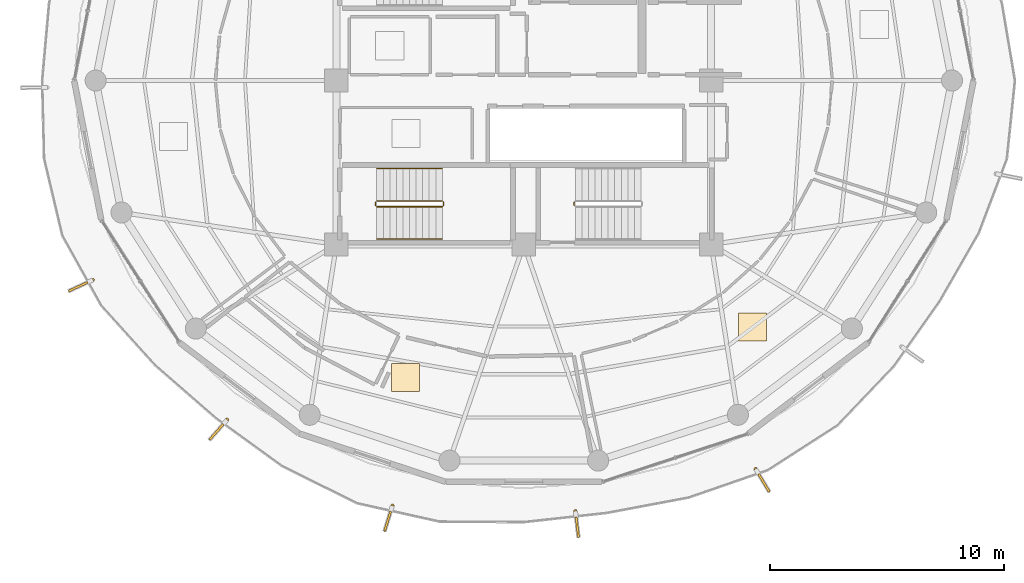
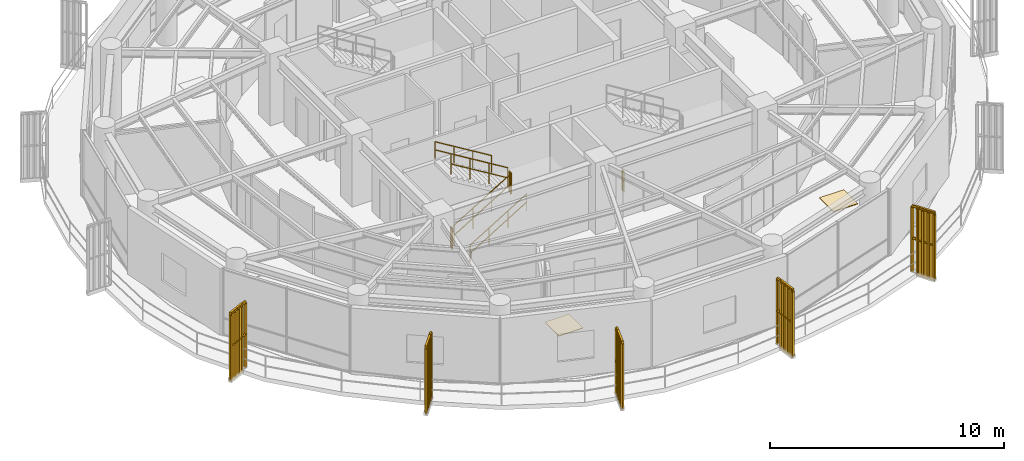
# One storey, part 20 of 23: 12 railings, 5 shading devices, 2 coverings.
"""IFC4 building model written with IfcOpenShell, lengths in metres."""

from ifc_helpers import new_model, si_unit, direction, frame, origin, origin_2d, place, context, subcontext, project, spatial, polyline, rectangle, outline, extrude, source, transform, mapped, material, layer, layer_set, type_object, element, save


model = new_model("IFC4")

# Units and contexts
model_context = context("Model", 3, precision=1e-05, world=origin(), true_north=direction((0.0, 1.0)))
body_context = subcontext(model_context, "Body", "Model", "MODEL_VIEW")
ifc_project = project(units=[si_unit("LENGTHUNIT", "METRE"), si_unit("AREAUNIT", "SQUARE_METRE"), si_unit("VOLUMEUNIT", "CUBIC_METRE"), si_unit("PLANEANGLEUNIT", "RADIAN"), si_unit("MASSUNIT", "GRAM", prefix="KILO")], contexts=[model_context])

# Site, building, storey
site_placement = place(None, origin())
site = spatial("IfcSite", under=ifc_project, at=site_placement, CompositionType="ELEMENT")
building_placement = place(site_placement, origin())
building = spatial("IfcBuilding", under=site, at=building_placement, Name="Kelanora Arch Commons", CompositionType="ELEMENT")
storey_placement = place(building_placement, frame((0.0, 0.0, 282.449951171875)))
storey = spatial("IfcBuildingStorey", under=building, at=storey_placement, Name="L72", CompositionType="ELEMENT", Elevation=282.449951171875)

# Railings
ifc_material_1 = material(Name="Anodised bronze vertical shading fin rib assembly")
railing_type_1 = type_object("IfcRailingType", Name="RAIL-FIN-BRZ", PredefinedType="BALUSTRADE", material=ifc_material_1)
railing_1_placement = place(storey_placement, frame((55.599853515625, 49.48779296875, -0.02001953125)))
element("IfcRailing", 1, at=railing_1_placement, inside=storey, type_object=railing_type_1, Name="Sweeping Bronze Vertical Fin Blade L72-09", PredefinedType="BALUSTRADE", context=body_context, shape_type="SweptSolid", body=[
    extrude(outline(polyline([(0.06982421875, 0.0), (0.034912109375, 0.060546875), (-0.034912109375, 0.060546875), (-0.06982421875, 0.0), (-0.034912109375, -0.060546875), (0.034912109375, -0.060546875), (0.06982421875, 0.0)])), frame((0.0, 0.0, 3.419921875), z_axis=(-0.907559976002, -0.419922480893, 0.0), x_axis=(0.419922480893, -0.907559976002, 0.0)), (0.0, 0.0, 1.0), 1.092529296875),
    extrude(outline(polyline([(0.06982421875, 0.0), (0.034912109375, 0.060546875), (-0.034912109375, 0.060546875), (-0.06982421875, 0.0), (-0.034912109375, -0.060546875), (0.034912109375, -0.060546875), (0.06982421875, 0.0)])), frame((0.0, 0.0, 1.7451171875), z_axis=(-0.907559976002, -0.419922480893, 0.0), x_axis=(0.419922480893, -0.907559976002, 0.0)), (0.0, 0.0, 1.0), 1.092529296875),
    extrude(outline(polyline([(0.080078125, 0.0), (0.0400390625, 0.0693359375), (-0.0400390625, 0.0693359375), (-0.080078125, 0.0), (-0.0400390625, -0.0693359375), (0.0400390625, -0.0693359375), (0.080078125, 0.0)])), origin(), (0.0, 0.0, 1.0), 3.35009765625),
    extrude(outline(polyline([(0.080078125, 0.0), (0.0400390625, 0.0693359375), (-0.0400390625, 0.0693359375), (-0.080078125, 0.0), (-0.0400390625, -0.0693359375), (0.0400390625, -0.0693359375), (0.080078125, 0.0)])), frame((-0.247802734375, -0.11474609375, 0.0)), (0.0, 0.0, 1.0), 3.35009765625),
    extrude(outline(polyline([(0.080078125, 0.0), (0.0400390625, 0.0693359375), (-0.0400390625, 0.0693359375), (-0.080078125, 0.0), (-0.0400390625, -0.0693359375), (0.0400390625, -0.0693359375), (0.080078125, 0.0)])), frame((-0.49560546875, -0.2294921875, 0.0)), (0.0, 0.0, 1.0), 3.35009765625),
    extrude(outline(polyline([(0.080078125, 0.0), (0.0400390625, 0.0693359375), (-0.0400390625, 0.0693359375), (-0.080078125, 0.0), (-0.0400390625, -0.0693359375), (0.0400390625, -0.0693359375), (0.080078125, 0.0)])), frame((-0.74365234375, -0.343994140625, 0.0)), (0.0, 0.0, 1.0), 3.35009765625),
    extrude(outline(polyline([(0.080078125, 0.0), (0.0400390625, 0.0693359375), (-0.0400390625, 0.0693359375), (-0.080078125, 0.0), (-0.0400390625, -0.0693359375), (0.0400390625, -0.0693359375), (0.080078125, 0.0)])), frame((-0.991455078125, -0.458740234375, 0.0)), (0.0, 0.0, 1.0), 3.35009765625),
])
railing_2_placement = place(storey_placement, frame((61.330078125, 43.513916015625, -0.02001953125)))
element("IfcRailing", 2, at=railing_2_placement, inside=storey, type_object=railing_type_1, Name="Sweeping Bronze Vertical Fin Blade L72-10", PredefinedType="BALUSTRADE", context=body_context, shape_type="SweptSolid", body=[
    extrude(outline(polyline([(0.06982421875, 0.0), (0.034912109375, 0.060546875), (-0.034912109375, 0.060546875), (-0.06982421875, 0.0), (-0.034912109375, -0.060546875), (0.034912109375, -0.060546875), (0.06982421875, 0.0)])), frame((0.0, 0.0, 3.419921875), z_axis=(-0.658504607869, -0.752576694707, 0.0), x_axis=(0.752576694707, -0.658504607869, 0.0)), (0.0, 0.0, 1.0), 1.092529296875),
    extrude(outline(polyline([(0.06982421875, 0.0), (0.034912109375, 0.060546875), (-0.034912109375, 0.060546875), (-0.06982421875, 0.0), (-0.034912109375, -0.060546875), (0.034912109375, -0.060546875), (0.06982421875, 0.0)])), frame((0.0, 0.0, 1.7451171875), z_axis=(-0.658504607869, -0.752576694707, 0.0), x_axis=(0.752576694707, -0.658504607869, 0.0)), (0.0, 0.0, 1.0), 1.092529296875),
    extrude(outline(polyline([(0.080078125, 0.0), (0.0400390625, 0.0693359375), (-0.0400390625, 0.0693359375), (-0.080078125, 0.0), (-0.0400390625, -0.0693359375), (0.0400390625, -0.0693359375), (0.080078125, 0.0)])), origin(), (0.0, 0.0, 1.0), 3.35009765625),
    extrude(outline(polyline([(0.080078125, 0.0), (0.0400390625, 0.0693359375), (-0.0400390625, 0.0693359375), (-0.080078125, 0.0), (-0.0400390625, -0.0693359375), (0.0400390625, -0.0693359375), (0.080078125, 0.0)])), frame((-0.179931640625, -0.20556640625, 0.0)), (0.0, 0.0, 1.0), 3.35009765625),
    extrude(outline(polyline([(0.080078125, 0.0), (0.0400390625, 0.0693359375), (-0.0400390625, 0.0693359375), (-0.080078125, 0.0), (-0.0400390625, -0.0693359375), (0.0400390625, -0.0693359375), (0.080078125, 0.0)])), frame((-0.35986328125, -0.4111328125, 0.0)), (0.0, 0.0, 1.0), 3.35009765625),
    extrude(outline(polyline([(0.080078125, 0.0), (0.0400390625, 0.0693359375), (-0.0400390625, 0.0693359375), (-0.080078125, 0.0), (-0.0400390625, -0.0693359375), (0.0400390625, -0.0693359375), (0.080078125, 0.0)])), frame((-0.53955078125, -0.61669921875, 0.0)), (0.0, 0.0, 1.0), 3.35009765625),
    extrude(outline(polyline([(0.080078125, 0.0), (0.0400390625, 0.0693359375), (-0.0400390625, 0.0693359375), (-0.080078125, 0.0), (-0.0400390625, -0.0693359375), (0.0400390625, -0.0693359375), (0.080078125, 0.0)])), frame((-0.719482421875, -0.822265625, 0.0)), (0.0, 0.0, 1.0), 3.35009765625),
])
railing_3_placement = place(storey_placement, frame((68.38916015625, 39.844970703125, -0.02001953125)))
element("IfcRailing", 3, at=railing_3_placement, inside=storey, type_object=railing_type_1, Name="Sweeping Bronze Vertical Fin Blade L72-11", PredefinedType="BALUSTRADE", context=body_context, shape_type="SweptSolid", body=[
    extrude(outline(polyline([(0.06982421875, 0.0), (0.034912109375, 0.060546875), (-0.034912109375, 0.060546875), (-0.06982421875, 0.0), (-0.034912109375, -0.060546875), (0.034912109375, -0.060546875), (0.06982421875, 0.0)])), frame((0.0, 0.0, 3.419921875), z_axis=(-0.295436078768, -0.955362508874, 0.0), x_axis=(0.955362508874, -0.295436078768, 0.0)), (0.0, 0.0, 1.0), 1.092529296875),
    extrude(outline(polyline([(0.06982421875, 0.0), (0.034912109375, 0.060546875), (-0.034912109375, 0.060546875), (-0.06982421875, 0.0), (-0.034912109375, -0.060546875), (0.034912109375, -0.060546875), (0.06982421875, 0.0)])), frame((0.0, 0.0, 1.7451171875), z_axis=(-0.295436078768, -0.955362508874, 0.0), x_axis=(0.955362508874, -0.295436078768, 0.0)), (0.0, 0.0, 1.0), 1.092529296875),
    extrude(outline(polyline([(0.080078125, 0.0), (0.0400390625, 0.0693359375), (-0.0400390625, 0.0693359375), (-0.080078125, 0.0), (-0.0400390625, -0.0693359375), (0.0400390625, -0.0693359375), (0.080078125, 0.0)])), origin(), (0.0, 0.0, 1.0), 3.35009765625),
    extrude(outline(polyline([(0.080078125, 0.0), (0.0400390625, 0.0693359375), (-0.0400390625, 0.0693359375), (-0.080078125, 0.0), (-0.0400390625, -0.0693359375), (0.0400390625, -0.0693359375), (0.080078125, 0.0)])), frame((-0.08056640625, -0.260986328125, 0.0)), (0.0, 0.0, 1.0), 3.35009765625),
    extrude(outline(polyline([(0.080078125, 0.0), (0.0400390625, 0.0693359375), (-0.0400390625, 0.0693359375), (-0.080078125, 0.0), (-0.0400390625, -0.0693359375), (0.0400390625, -0.0693359375), (0.080078125, 0.0)])), frame((-0.161376953125, -0.52197265625, 0.0)), (0.0, 0.0, 1.0), 3.35009765625),
    extrude(outline(polyline([(0.080078125, 0.0), (0.0400390625, 0.0693359375), (-0.0400390625, 0.0693359375), (-0.080078125, 0.0), (-0.0400390625, -0.0693359375), (0.0400390625, -0.0693359375), (0.080078125, 0.0)])), frame((-0.2421875, -0.78271484375, 0.0)), (0.0, 0.0, 1.0), 3.35009765625),
    extrude(outline(polyline([(0.080078125, 0.0), (0.0400390625, 0.0693359375), (-0.0400390625, 0.0693359375), (-0.080078125, 0.0), (-0.0400390625, -0.0693359375), (0.0400390625, -0.0693359375), (0.080078125, 0.0)])), frame((-0.32275390625, -1.043701171875, 0.0)), (0.0, 0.0, 1.0), 3.35009765625),
])
railing_4_placement = place(storey_placement, frame((76.20068359375, 39.615234375, -0.02001953125)))
element("IfcRailing", 4, at=railing_4_placement, inside=storey, type_object=railing_type_1, Name="Sweeping Bronze Vertical Fin Blade L72-12", PredefinedType="BALUSTRADE", context=body_context, shape_type="SweptSolid", body=[
    extrude(outline(polyline([(0.06982421875, 0.0), (0.034912109375, 0.060546875), (-0.034912109375, 0.060546875), (-0.06982421875, 0.0), (-0.034912109375, -0.060546875), (0.034912109375, -0.060546875), (0.06982421875, 0.0)])), frame((0.0, 0.0, 3.419921875), z_axis=(0.118889663536, -0.992907471975, 0.0), x_axis=(0.992907471975, 0.118889663536, 0.0)), (0.0, 0.0, 1.0), 1.092529296875),
    extrude(outline(polyline([(0.06982421875, 0.0), (0.034912109375, 0.060546875), (-0.034912109375, 0.060546875), (-0.06982421875, 0.0), (-0.034912109375, -0.060546875), (0.034912109375, -0.060546875), (0.06982421875, 0.0)])), frame((0.0, 0.0, 1.7451171875), z_axis=(0.118889663536, -0.992907471975, 0.0), x_axis=(0.992907471975, 0.118889663536, 0.0)), (0.0, 0.0, 1.0), 1.092529296875),
    extrude(outline(polyline([(0.080078125, 0.0), (0.0400390625, 0.0693359375), (-0.0400390625, 0.0693359375), (-0.080078125, 0.0), (-0.0400390625, -0.0693359375), (0.0400390625, -0.0693359375), (0.080078125, 0.0)])), origin(), (0.0, 0.0, 1.0), 3.35009765625),
    extrude(outline(polyline([(0.080078125, 0.0), (0.0400390625, 0.0693359375), (-0.0400390625, 0.0693359375), (-0.080078125, 0.0), (-0.0400390625, -0.0693359375), (0.0400390625, -0.0693359375), (0.080078125, 0.0)])), frame((0.032470703125, -0.271240234375, 0.0)), (0.0, 0.0, 1.0), 3.35009765625),
    extrude(outline(polyline([(0.080078125, 0.0), (0.0400390625, 0.0693359375), (-0.0400390625, 0.0693359375), (-0.080078125, 0.0), (-0.0400390625, -0.0693359375), (0.0400390625, -0.0693359375), (0.080078125, 0.0)])), frame((0.06494140625, -0.54248046875, 0.0)), (0.0, 0.0, 1.0), 3.35009765625),
    extrude(outline(polyline([(0.080078125, 0.0), (0.0400390625, 0.0693359375), (-0.0400390625, 0.0693359375), (-0.080078125, 0.0), (-0.0400390625, -0.0693359375), (0.0400390625, -0.0693359375), (0.080078125, 0.0)])), frame((0.097412109375, -0.8134765625, 0.0)), (0.0, 0.0, 1.0), 3.35009765625),
    extrude(outline(polyline([(0.080078125, 0.0), (0.0400390625, 0.0693359375), (-0.0400390625, 0.0693359375), (-0.080078125, 0.0), (-0.0400390625, -0.0693359375), (0.0400390625, -0.0693359375), (0.080078125, 0.0)])), frame((0.1298828125, -1.084716796875, 0.0)), (0.0, 0.0, 1.0), 3.35009765625),
])
railing_5_placement = place(storey_placement, frame((83.89697265625, 41.414794921875, -0.02001953125)))
element("IfcRailing", 5, at=railing_5_placement, inside=storey, type_object=railing_type_1, Name="Sweeping Bronze Vertical Fin Blade L72-13", PredefinedType="BALUSTRADE", context=body_context, shape_type="SweptSolid", body=[
    extrude(outline(polyline([(0.06982421875, 0.0), (0.034912109375, 0.060546875), (-0.034912109375, 0.060546875), (-0.06982421875, 0.0), (-0.034912109375, -0.060546875), (0.034912109375, -0.060546875), (0.06982421875, 0.0)])), frame((0.0, 0.0, 3.419921875), z_axis=(0.512489407316, -0.858693546842, 0.0), x_axis=(0.858693546842, 0.512489407316, 0.0)), (0.0, 0.0, 1.0), 1.09228515625),
    extrude(outline(polyline([(0.06982421875, 0.0), (0.034912109375, 0.060546875), (-0.034912109375, 0.060546875), (-0.06982421875, 0.0), (-0.034912109375, -0.060546875), (0.034912109375, -0.060546875), (0.06982421875, 0.0)])), frame((0.0, 0.0, 1.7451171875), z_axis=(0.512489407316, -0.858693546842, 0.0), x_axis=(0.858693546842, 0.512489407316, 0.0)), (0.0, 0.0, 1.0), 1.09228515625),
    extrude(outline(polyline([(0.080078125, 0.0), (0.0400390625, 0.0693359375), (-0.0400390625, 0.0693359375), (-0.080078125, 0.0), (-0.0400390625, -0.0693359375), (0.0400390625, -0.0693359375), (0.080078125, 0.0)])), origin(), (0.0, 0.0, 1.0), 3.35009765625),
    extrude(outline(polyline([(0.080078125, 0.0), (0.0400390625, 0.0693359375), (-0.0400390625, 0.0693359375), (-0.080078125, 0.0), (-0.0400390625, -0.0693359375), (0.0400390625, -0.0693359375), (0.080078125, 0.0)])), frame((0.139892578125, -0.234375, 0.0)), (0.0, 0.0, 1.0), 3.35009765625),
    extrude(outline(polyline([(0.080078125, 0.0), (0.0400390625, 0.0693359375), (-0.0400390625, 0.0693359375), (-0.080078125, 0.0), (-0.0400390625, -0.0693359375), (0.0400390625, -0.0693359375), (0.080078125, 0.0)])), frame((0.27978515625, -0.468994140625, 0.0)), (0.0, 0.0, 1.0), 3.35009765625),
    extrude(outline(polyline([(0.080078125, 0.0), (0.0400390625, 0.0693359375), (-0.0400390625, 0.0693359375), (-0.080078125, 0.0), (-0.0400390625, -0.0693359375), (0.0400390625, -0.0693359375), (0.080078125, 0.0)])), frame((0.419921875, -0.70361328125, 0.0)), (0.0, 0.0, 1.0), 3.35009765625),
    extrude(outline(polyline([(0.080078125, 0.0), (0.0400390625, 0.0693359375), (-0.0400390625, 0.0693359375), (-0.080078125, 0.0), (-0.0400390625, -0.0693359375), (0.0400390625, -0.0693359375), (0.080078125, 0.0)])), frame((0.559814453125, -0.93798828125, 0.0)), (0.0, 0.0, 1.0), 3.35009765625),
])
ifc_material_2 = material(Name="Painted steel stair well guard", Category="steel")
railing_type_2 = type_object("IfcRailingType", Name="RAIL-STAIR-GRD", PredefinedType="GUARDRAIL", material=ifc_material_2)
railing_6_placement = place(storey_placement, frame((76.14990234375, 52.659912109375, 0.0)))
element("IfcRailing", 6, at=railing_6_placement, inside=storey, type_object=railing_type_2, Name="L72 ST-T2 stair guard 4", PredefinedType="GUARDRAIL", context=body_context, shape_type="SweptSolid", body=[
    extrude(outline(polyline([(0.02392578125, 0.0), (0.011962890625, 0.020751953125), (-0.011962890625, 0.020751953125), (-0.02392578125, 0.0), (-0.011962890625, -0.020751953125), (0.011962890625, -0.020751953125), (0.02392578125, 0.0)])), frame((0.0, 0.0, 1.076171875), z_axis=(0.0, 1.0, 0.0), x_axis=(-1.0, 0.0, 0.0)), (0.0, 0.0, 1.0), 0.150146484375),
    extrude(outline(polyline([(0.02392578125, 0.0), (0.011962890625, 0.020751953125), (-0.011962890625, 0.020751953125), (-0.02392578125, 0.0), (-0.011962890625, -0.020751953125), (0.011962890625, -0.020751953125), (0.02392578125, 0.0)])), frame((0.0, 0.0, 0.550048828125), z_axis=(0.0, 1.0, 0.0), x_axis=(-1.0, 0.0, 0.0)), (0.0, 0.0, 1.0), 0.150146484375),
    extrude(outline(polyline([(0.02099609375, 0.0), (0.010498046875, 0.01806640625), (-0.010498046875, 0.01806640625), (-0.02099609375, 0.0), (-0.010498046875, -0.01806640625), (0.010498046875, -0.01806640625), (0.02099609375, 0.0)])), origin(), (0.0, 0.0, 1.0), 1.052001953125),
    extrude(outline(polyline([(0.02099609375, 0.0), (0.010498046875, 0.01806640625), (-0.010498046875, 0.01806640625), (-0.02099609375, 0.0), (-0.010498046875, -0.01806640625), (0.010498046875, -0.01806640625), (0.02099609375, 0.0)])), frame((0.0, 0.150146484375, 0.0)), (0.0, 0.0, 1.0), 1.052001953125),
])
railing_7_placement = place(storey_placement, frame((67.719970703125, 52.610107421875, 0.17041015625)))
element("IfcRailing", 7, at=railing_7_placement, inside=storey, type_object=railing_type_2, Name="L72 ST-T3 stair guard 1", PredefinedType="GUARDRAIL", context=body_context, shape_type="SweptSolid", body=[
    extrude(outline(polyline([(0.02392578125, 0.0), (0.011962890625, 0.020751953125), (-0.011962890625, 0.020751953125), (-0.02392578125, 0.0), (-0.011962890625, -0.020751953125), (0.011962890625, -0.020751953125), (0.02392578125, 0.0)])), frame((0.0, 0.0, 1.076171875), z_axis=(0.854169791009, 0.0, 0.51999420009), x_axis=(0.0, 1.0, 0.0)), (0.0, 0.0, 1.0), 3.278076171875),
    extrude(outline(polyline([(0.02392578125, 0.0), (0.011962890625, 0.020751953125), (-0.011962890625, 0.020751953125), (-0.02392578125, 0.0), (-0.011962890625, -0.020751953125), (0.011962890625, -0.020751953125), (0.02392578125, 0.0)])), frame((0.0, 0.0, 0.550048828125), z_axis=(0.854169791009, 0.0, 0.51999420009), x_axis=(0.0, 1.0, 0.0)), (0.0, 0.0, 1.0), 3.278076171875),
    extrude(outline(polyline([(0.02099609375, 0.0), (0.010498046875, 0.01806640625), (-0.010498046875, 0.01806640625), (-0.02099609375, 0.0), (-0.010498046875, -0.01806640625), (0.010498046875, -0.01806640625), (0.02099609375, 0.0)])), origin(), (0.0, 0.0, 1.0), 1.052001953125),
    extrude(outline(polyline([(0.02099609375, 0.0), (0.010498046875, 0.01806640625), (-0.010498046875, 0.01806640625), (-0.02099609375, 0.0), (-0.010498046875, -0.01806640625), (0.010498046875, -0.01806640625), (0.02099609375, 0.0)])), frame((0.933349609375, 0.0, 0.568115234375)), (0.0, 0.0, 1.0), 1.052001953125),
    extrude(outline(polyline([(0.02099609375, 0.0), (0.010498046875, 0.01806640625), (-0.010498046875, 0.01806640625), (-0.02099609375, 0.0), (-0.010498046875, -0.01806640625), (0.010498046875, -0.01806640625), (0.02099609375, 0.0)])), frame((1.86669921875, 0.0, 1.136474609375)), (0.0, 0.0, 1.0), 1.052001953125),
    extrude(outline(polyline([(0.02099609375, 0.0), (0.010498046875, 0.01806640625), (-0.010498046875, 0.01806640625), (-0.02099609375, 0.0), (-0.010498046875, -0.01806640625), (0.010498046875, -0.01806640625), (0.02099609375, 0.0)])), frame((2.800048828125, 0.0, 1.70458984375)), (0.0, 0.0, 1.0), 1.052001953125),
])
railing_8_placement = place(storey_placement, frame((70.570068359375, 52.659912109375, 1.875)))
element("IfcRailing", 8, at=railing_8_placement, inside=storey, type_object=railing_type_2, Name="L72 ST-T3 stair guard 2", PredefinedType="GUARDRAIL", context=body_context, shape_type="SweptSolid", body=[
    extrude(outline(polyline([(0.02392578125, 0.0), (0.011962890625, 0.020751953125), (-0.011962890625, 0.020751953125), (-0.02392578125, 0.0), (-0.011962890625, -0.020751953125), (0.011962890625, -0.020751953125), (0.02392578125, 0.0)])), frame((0.0, 0.0, 1.076171875), z_axis=(0.0, 1.0, 0.0), x_axis=(-1.0, 0.0, 0.0)), (0.0, 0.0, 1.0), 0.150146484375),
    extrude(outline(polyline([(0.02392578125, 0.0), (0.011962890625, 0.020751953125), (-0.011962890625, 0.020751953125), (-0.02392578125, 0.0), (-0.011962890625, -0.020751953125), (0.011962890625, -0.020751953125), (0.02392578125, 0.0)])), frame((0.0, 0.0, 0.550048828125), z_axis=(0.0, 1.0, 0.0), x_axis=(-1.0, 0.0, 0.0)), (0.0, 0.0, 1.0), 0.150146484375),
    extrude(outline(polyline([(0.02099609375, 0.0), (0.010498046875, 0.01806640625), (-0.010498046875, 0.01806640625), (-0.02099609375, 0.0), (-0.010498046875, -0.01806640625), (0.010498046875, -0.01806640625), (0.02099609375, 0.0)])), origin(), (0.0, 0.0, 1.0), 1.052001953125),
    extrude(outline(polyline([(0.02099609375, 0.0), (0.010498046875, 0.01806640625), (-0.010498046875, 0.01806640625), (-0.02099609375, 0.0), (-0.010498046875, -0.01806640625), (0.010498046875, -0.01806640625), (0.02099609375, 0.0)])), frame((0.0, 0.150146484375, 0.0)), (0.0, 0.0, 1.0), 1.052001953125),
])
railing_9_placement = place(storey_placement, frame((70.52001953125, 52.860107421875, 2.04541015625)))
element("IfcRailing", 9, at=railing_9_placement, inside=storey, type_object=railing_type_2, Name="L72 ST-T3 stair guard 3", PredefinedType="GUARDRAIL", context=body_context, shape_type="SweptSolid", body=[
    extrude(outline(polyline([(0.02392578125, 0.0), (0.011962890625, 0.020751953125), (-0.011962890625, 0.020751953125), (-0.02392578125, 0.0), (-0.011962890625, -0.020751953125), (0.011962890625, -0.020751953125), (0.02392578125, 0.0)])), frame((0.0, 0.0, 1.076171875), z_axis=(-0.854169791009, 0.0, 0.51999420009), x_axis=(0.0, -1.0, 0.0)), (0.0, 0.0, 1.0), 3.278076171875),
    extrude(outline(polyline([(0.02392578125, 0.0), (0.011962890625, 0.020751953125), (-0.011962890625, 0.020751953125), (-0.02392578125, 0.0), (-0.011962890625, -0.020751953125), (0.011962890625, -0.020751953125), (0.02392578125, 0.0)])), frame((0.0, 0.0, 0.550048828125), z_axis=(-0.854169791009, 0.0, 0.51999420009), x_axis=(0.0, -1.0, 0.0)), (0.0, 0.0, 1.0), 3.278076171875),
    extrude(outline(polyline([(0.02099609375, 0.0), (0.010498046875, 0.01806640625), (-0.010498046875, 0.01806640625), (-0.02099609375, 0.0), (-0.010498046875, -0.01806640625), (0.010498046875, -0.01806640625), (0.02099609375, 0.0)])), origin(), (0.0, 0.0, 1.0), 1.052001953125),
    extrude(outline(polyline([(0.02099609375, 0.0), (0.010498046875, 0.01806640625), (-0.010498046875, 0.01806640625), (-0.02099609375, 0.0), (-0.010498046875, -0.01806640625), (0.010498046875, -0.01806640625), (0.02099609375, 0.0)])), frame((-0.933349609375, 0.0, 0.568115234375)), (0.0, 0.0, 1.0), 1.052001953125),
    extrude(outline(polyline([(0.02099609375, 0.0), (0.010498046875, 0.01806640625), (-0.010498046875, 0.01806640625), (-0.02099609375, 0.0), (-0.010498046875, -0.01806640625), (0.010498046875, -0.01806640625), (0.02099609375, 0.0)])), frame((-1.86669921875, 0.0, 1.136474609375)), (0.0, 0.0, 1.0), 1.052001953125),
    extrude(outline(polyline([(0.02099609375, 0.0), (0.010498046875, 0.01806640625), (-0.010498046875, 0.01806640625), (-0.02099609375, 0.0), (-0.010498046875, -0.01806640625), (0.010498046875, -0.01806640625), (0.02099609375, 0.0)])), frame((-2.800048828125, 0.0, 1.70458984375)), (0.0, 0.0, 1.0), 1.052001953125),
])
railing_10_placement = place(storey_placement, frame((67.669921875, 52.659912109375, 0.0)))
element("IfcRailing", 10, at=railing_10_placement, inside=storey, type_object=railing_type_2, Name="L72 ST-T3 stair guard 4", PredefinedType="GUARDRAIL", context=body_context, shape_type="SweptSolid", body=[
    extrude(outline(polyline([(0.02392578125, 0.0), (0.011962890625, 0.020751953125), (-0.011962890625, 0.020751953125), (-0.02392578125, 0.0), (-0.011962890625, -0.020751953125), (0.011962890625, -0.020751953125), (0.02392578125, 0.0)])), frame((0.0, 0.0, 1.076171875), z_axis=(0.0, 1.0, 0.0), x_axis=(-1.0, 0.0, 0.0)), (0.0, 0.0, 1.0), 0.150146484375),
    extrude(outline(polyline([(0.02392578125, 0.0), (0.011962890625, 0.020751953125), (-0.011962890625, 0.020751953125), (-0.02392578125, 0.0), (-0.011962890625, -0.020751953125), (0.011962890625, -0.020751953125), (0.02392578125, 0.0)])), frame((0.0, 0.0, 0.550048828125), z_axis=(0.0, 1.0, 0.0), x_axis=(-1.0, 0.0, 0.0)), (0.0, 0.0, 1.0), 0.150146484375),
    extrude(outline(polyline([(0.02099609375, 0.0), (0.010498046875, 0.01806640625), (-0.010498046875, 0.01806640625), (-0.02099609375, 0.0), (-0.010498046875, -0.01806640625), (0.010498046875, -0.01806640625), (0.02099609375, 0.0)])), origin(), (0.0, 0.0, 1.0), 1.052001953125),
    extrude(outline(polyline([(0.02099609375, 0.0), (0.010498046875, 0.01806640625), (-0.010498046875, 0.01806640625), (-0.02099609375, 0.0), (-0.010498046875, -0.01806640625), (0.010498046875, -0.01806640625), (0.02099609375, 0.0)])), frame((0.0, 0.150146484375, 0.0)), (0.0, 0.0, 1.0), 1.052001953125),
])
ifc_material_3 = material(Name="Brushed stainless steel stair handrail", Category="steel")
railing_type_3 = type_object("IfcRailingType", Name="RAIL-STAIR-HND", PredefinedType="HANDRAIL", material=ifc_material_3)
railing_11_placement = place(storey_placement, frame((67.719970703125, 51.22998046875, 0.17041015625)))
element("IfcRailing", 11, at=railing_11_placement, inside=storey, type_object=railing_type_3, Name="L72 ST-T3 stair handrail 1", PredefinedType="HANDRAIL", context=body_context, shape_type="SweptSolid", body=[
    extrude(outline(polyline([(0.02392578125, 0.0), (0.011962890625, 0.020751953125), (-0.011962890625, 0.020751953125), (-0.02392578125, 0.0), (-0.011962890625, -0.020751953125), (0.011962890625, -0.020751953125), (0.02392578125, 0.0)])), frame((0.0, 0.0, 0.8759765625), z_axis=(0.854169791009, 0.0, 0.51999420009), x_axis=(0.0, 1.0, 0.0)), (0.0, 0.0, 1.0), 3.278076171875),
    extrude(outline(polyline([(0.02392578125, 0.0), (0.011962890625, 0.020751953125), (-0.011962890625, 0.020751953125), (-0.02392578125, 0.0), (-0.011962890625, -0.020751953125), (0.011962890625, -0.020751953125), (0.02392578125, 0.0)])), frame((0.0, 0.0, 0.449951171875), z_axis=(0.854169791009, 0.0, 0.51999420009), x_axis=(0.0, 1.0, 0.0)), (0.0, 0.0, 1.0), 3.278076171875),
    extrude(outline(polyline([(0.02099609375, 0.0), (0.010498046875, 0.01806640625), (-0.010498046875, 0.01806640625), (-0.02099609375, 0.0), (-0.010498046875, -0.01806640625), (0.010498046875, -0.01806640625), (0.02099609375, 0.0)])), origin(), (0.0, 0.0, 1.0), 0.851806640625),
    extrude(outline(polyline([(0.02099609375, 0.0), (0.010498046875, 0.01806640625), (-0.010498046875, 0.01806640625), (-0.02099609375, 0.0), (-0.010498046875, -0.01806640625), (0.010498046875, -0.01806640625), (0.02099609375, 0.0)])), frame((0.933349609375, 0.0, 0.568115234375)), (0.0, 0.0, 1.0), 0.851806640625),
    extrude(outline(polyline([(0.02099609375, 0.0), (0.010498046875, 0.01806640625), (-0.010498046875, 0.01806640625), (-0.02099609375, 0.0), (-0.010498046875, -0.01806640625), (0.010498046875, -0.01806640625), (0.02099609375, 0.0)])), frame((1.86669921875, 0.0, 1.136474609375)), (0.0, 0.0, 1.0), 0.851806640625),
    extrude(outline(polyline([(0.02099609375, 0.0), (0.010498046875, 0.01806640625), (-0.010498046875, 0.01806640625), (-0.02099609375, 0.0), (-0.010498046875, -0.01806640625), (0.010498046875, -0.01806640625), (0.02099609375, 0.0)])), frame((2.800048828125, 0.0, 1.70458984375)), (0.0, 0.0, 1.0), 0.851806640625),
])
railing_12_placement = place(storey_placement, frame((70.52001953125, 54.239990234375, 2.04541015625)))
element("IfcRailing", 12, at=railing_12_placement, inside=storey, type_object=railing_type_3, Name="L72 ST-T3 stair handrail 2", PredefinedType="HANDRAIL", context=body_context, shape_type="SweptSolid", body=[
    extrude(outline(polyline([(0.02392578125, 0.0), (0.011962890625, 0.020751953125), (-0.011962890625, 0.020751953125), (-0.02392578125, 0.0), (-0.011962890625, -0.020751953125), (0.011962890625, -0.020751953125), (0.02392578125, 0.0)])), frame((0.0, 0.0, 0.8759765625), z_axis=(-0.854169791009, 0.0, 0.51999420009), x_axis=(0.0, -1.0, 0.0)), (0.0, 0.0, 1.0), 3.278076171875),
    extrude(outline(polyline([(0.02392578125, 0.0), (0.011962890625, 0.020751953125), (-0.011962890625, 0.020751953125), (-0.02392578125, 0.0), (-0.011962890625, -0.020751953125), (0.011962890625, -0.020751953125), (0.02392578125, 0.0)])), frame((0.0, 0.0, 0.449951171875), z_axis=(-0.854169791009, 0.0, 0.51999420009), x_axis=(0.0, -1.0, 0.0)), (0.0, 0.0, 1.0), 3.278076171875),
    extrude(outline(polyline([(0.02099609375, 0.0), (0.010498046875, 0.01806640625), (-0.010498046875, 0.01806640625), (-0.02099609375, 0.0), (-0.010498046875, -0.01806640625), (0.010498046875, -0.01806640625), (0.02099609375, 0.0)])), origin(), (0.0, 0.0, 1.0), 0.851806640625),
    extrude(outline(polyline([(0.02099609375, 0.0), (0.010498046875, 0.01806640625), (-0.010498046875, 0.01806640625), (-0.02099609375, 0.0), (-0.010498046875, -0.01806640625), (0.010498046875, -0.01806640625), (0.02099609375, 0.0)])), frame((-0.933349609375, 0.0, 0.568115234375)), (0.0, 0.0, 1.0), 0.851806640625),
    extrude(outline(polyline([(0.02099609375, 0.0), (0.010498046875, 0.01806640625), (-0.010498046875, 0.01806640625), (-0.02099609375, 0.0), (-0.010498046875, -0.01806640625), (0.010498046875, -0.01806640625), (0.02099609375, 0.0)])), frame((-1.86669921875, 0.0, 1.136474609375)), (0.0, 0.0, 1.0), 0.851806640625),
    extrude(outline(polyline([(0.02099609375, 0.0), (0.010498046875, 0.01806640625), (-0.010498046875, 0.01806640625), (-0.02099609375, 0.0), (-0.010498046875, -0.01806640625), (0.010498046875, -0.01806640625), (0.02099609375, 0.0)])), frame((-2.800048828125, 0.0, 1.70458984375)), (0.0, 0.0, 1.0), 0.851806640625),
])

# Shading devices
ifc_material_4 = material(Name="Terracotta ceramic-clad extruded aluminium fin", Category="masonry")
shading_device_type = type_object("IfcShadingDeviceType", Name="SHD-FIN-FLARE", PredefinedType="USERDEFINED", material=ifc_material_4)
shared_shape_1 = source(origin(), body_context, "Body", "SweptSolid", [
    extrude(rectangle(XDim=0.8798828125, YDim=0.090087890625, at=origin_2d()), origin(), (0.0, 0.0, 1.0), 3.610107421875),
])
for number, where, z_axis, x_axis, name in (
    (13, (54.97705078125, 49.19970703125, -0.14013671875), (0.0, 0.0, 1.0), (-0.90755772951, -0.419927336103, 0.0), "Sweeping Terracotta Fin L72-09"),
    (14, (60.878173828125, 42.997314453125, -0.14013671875), (0.0, 0.0, 1.0), (-0.65829540632, -0.752759694735, 0.0), "Sweeping Terracotta Fin L72-10"),
    (15, (68.1865234375, 39.189453125, -0.14013671875), (0.0, 0.0, 1.0), (-0.295207826951, -0.955433063541, 0.0), "Sweeping Terracotta Fin L72-11"),
    (16, (76.2822265625, 38.933837890625, -0.14013671875), (0.0, 0.0, 1.0), (0.118923867576, -0.992903375823, 0.0), "Sweeping Terracotta Fin L72-12"),
    (17, (84.24853515625, 40.82568359375, -0.14013671875), (0.0, 0.0, 1.0), (0.512492545011, -0.858691674181, 0.0), "Sweeping Terracotta Fin L72-13"),
):
    element("IfcShadingDevice", number, at=place(storey_placement, frame(where, z_axis=z_axis, x_axis=x_axis)), inside=storey, type_object=shading_device_type, Name=name, ObjectType="FIN", PredefinedType="USERDEFINED", context=body_context, shape_type="MappedRepresentation", body=[
        mapped(shared_shape_1, transform((0.0, 0.0, 0.0), scale=1.0)),
    ])

# Coverings
ifc_material_5 = material(Name="Polished local granite terrazzo flooring", Category="masonry")
ifc_layer = layer(ifc_material_5, 0.030029296875)
ifc_layer_set = layer_set([ifc_layer], Name="Polished local granite terrazzo flooring")
covering_type = type_object("IfcCoveringType", Name="COV-FLR-TER", PredefinedType="FLOORING", material=ifc_layer_set)
shared_shape_2 = source(origin(), body_context, "Body", "SweptSolid", [
    extrude(rectangle(XDim=1.199951171875, YDim=1.199951171875, at=origin_2d()), origin(), (0.0, 0.0, 1.0), 0.030029296875),
])
for number, where, z_axis, x_axis, name in (
    (18, (68.950927734375, 45.325927734375, 0.0), (0.0, 0.0, 1.0), (1.0, 0.0, 0.0), "Co-Living Studio L72-03 Terrazzo Finish"),
    (19, (83.766845703125, 47.47998046875, 0.0), (0.0, 0.0, 1.0), (1.0, 0.0, 0.0), "Quiet Seminar Study Room L72-04 Terrazzo Finish"),
):
    element("IfcCovering", number, at=place(storey_placement, frame(where, z_axis=z_axis, x_axis=x_axis)), inside=storey, type_object=covering_type, Name=name, PredefinedType="FLOORING", context=body_context, shape_type="MappedRepresentation", body=[
        mapped(shared_shape_2, transform((0.0, 0.0, 0.0), scale=1.0)),
    ])

save(model, "model.ifc")
